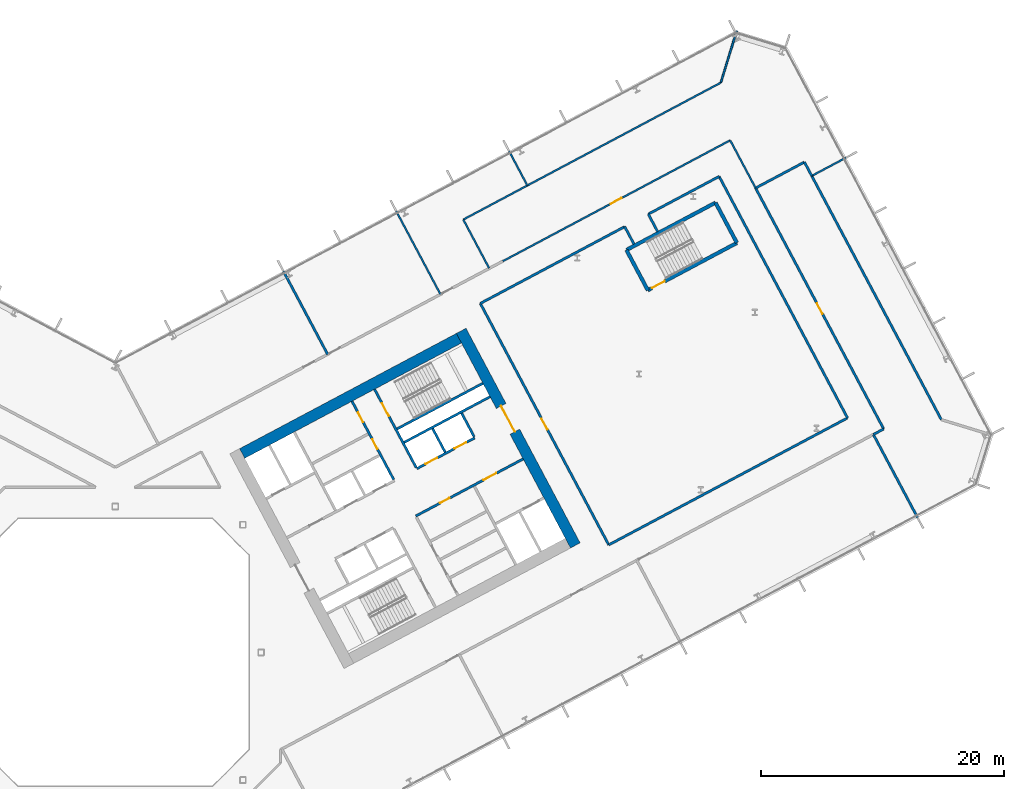
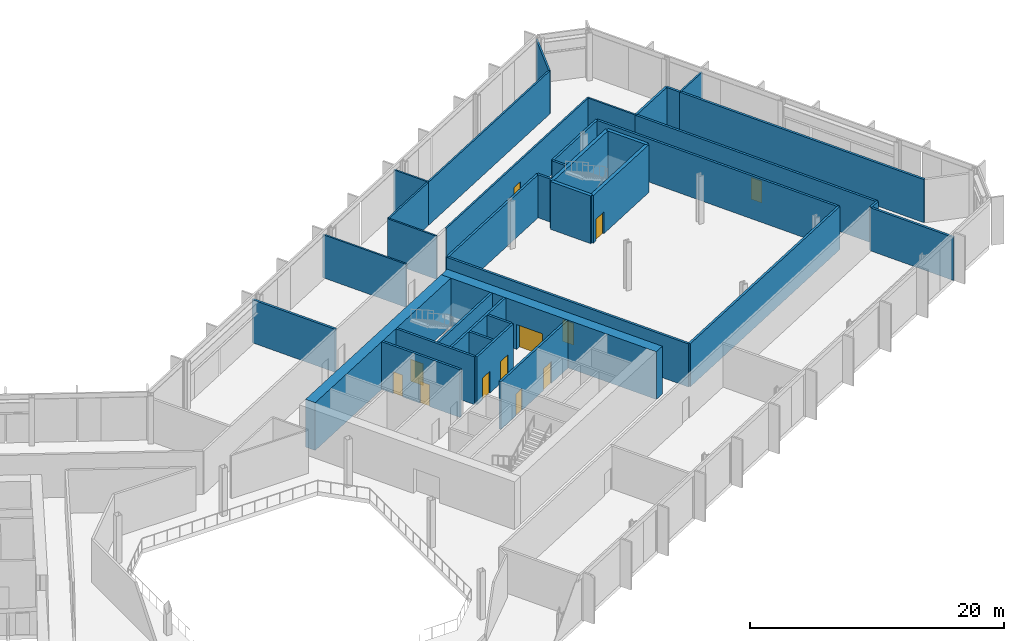
# One storey, part 18 of 31: 37 walls, 12 doors, 12 openings.
"""IFC4 building model written with IfcOpenShell, lengths in metres."""

from ifc_helpers import new_model, si_unit, direction, frame, frame_2d, origin, place, context, subcontext, project, spatial, rectangle, extrude, material, layer, layer_set, type_object, element, fill, save


model = new_model("IFC4")

# Units and contexts
model_context = context("Model", 3, precision=1e-05, world=origin(), true_north=direction((0.0, 1.0)))
body_context = subcontext(model_context, "Body", "Model", "MODEL_VIEW")
ifc_project = project(units=[si_unit("LENGTHUNIT", "METRE"), si_unit("AREAUNIT", "SQUARE_METRE"), si_unit("VOLUMEUNIT", "CUBIC_METRE"), si_unit("PLANEANGLEUNIT", "RADIAN"), si_unit("MASSUNIT", "GRAM", prefix="KILO")], contexts=[model_context])

# Site, building, storey
site_placement = place(None, origin())
site = spatial("IfcSite", under=ifc_project, at=site_placement, CompositionType="ELEMENT")
building_placement = place(site_placement, origin())
building = spatial("IfcBuilding", under=site, at=building_placement, Name="Cormorant Relay Tower", CompositionType="ELEMENT")
storey_placement = place(building_placement, frame((0.0, 0.0, 107.60009765625)))
storey = spatial("IfcBuildingStorey", under=building, at=storey_placement, Name="L21", CompositionType="ELEMENT", Elevation=107.60009765625)

# Wall
ifc_material_1 = material(Name="Concrete 40 MPa", Category="concrete")
ifc_layer_1 = layer(ifc_material_1, 0.199951171875)
ifc_layer_set_1 = layer_set([ifc_layer_1], Name="Core internal wall 200")
wall_type_1 = type_object("IfcWallType", Name="Core internal wall 200", PredefinedType="SOLIDWALL", material=ifc_layer_set_1)
wall_1_placement = place(storey_placement, frame((27.144287109375, 16.471435546875, 0.0), z_axis=(0.0, 0.0, 1.0), x_axis=(-0.469401318492, 0.882984938828, 0.0)))
element("IfcWall", 1, at=wall_1_placement, inside=storey, type_object=wall_type_1, Name="L21 core B shaft and room wall", PredefinedType="SOLIDWALL", context=body_context, shape_type="SweptSolid", body=[
    extrude(rectangle(XDim=2.199951171875, YDim=0.199951171875, at=frame_2d((1.10009765625, 0.0))), origin(), (0.0, 0.0, 1.0), 4.599853515625),
])

# Wall, openings, doors
ifc_material_2 = material(Name="Concrete 50 MPa", Category="concrete")
ifc_layer_2 = layer(ifc_material_2, 0.199951171875)
ifc_layer_set_2 = layer_set([ifc_layer_2], Name="Core shaft wall 200")
wall_type_2 = type_object("IfcWallType", Name="Core shaft wall 200", PredefinedType="SHEAR", material=ifc_layer_set_2)
wall_2_placement = place(storey_placement, frame((22.90625, 14.218017578125, 0.0), z_axis=(0.0, 0.0, 1.0), x_axis=(-0.469480409012, 0.88294288918, 0.0)))
wall_2 = element("IfcWall", 2, at=wall_2_placement, inside=storey, type_object=wall_type_2, Name="L21 core B shaft wall", PredefinedType="SHEAR", context=body_context, shape_type="SweptSolid", body=[
    extrude(rectangle(XDim=7.300048828125, YDim=0.199951171875, at=frame_2d((3.64990234375, 0.0))), origin(), (0.0, 0.0, 1.0), 4.599853515625),
])
opening_1_placement = place(wall_2_placement, frame((2.85009765625, 0.0, 0.0)))
opening_1 = element("IfcOpeningElement", 3, at=opening_1_placement, cuts=wall_2, Name="Opening CDD-134", PredefinedType="OPENING", context=body_context, shape_type="SweptSolid", body=[
    extrude(rectangle(XDim=0.89990234375, YDim=2.10009765625, at=frame_2d((0.449951171875, 1.050048828125))), frame((0.0, 0.10986328125, 0.0), z_axis=(0.0, -1.0, 0.0), x_axis=(1.0, 0.0, 0.0)), (0.0, 0.0, 1.0), 0.219970703125),
])
opening_2_placement = place(wall_2_placement, frame((5.35009765625, 0.0, 0.0)))
opening_2 = element("IfcOpeningElement", 4, at=opening_2_placement, cuts=wall_2, Name="Opening CDD-148", PredefinedType="OPENING", context=body_context, shape_type="SweptSolid", body=[
    extrude(rectangle(XDim=0.89990234375, YDim=2.10009765625, at=frame_2d((0.449951171875, 1.050048828125))), frame((0.0, 0.10986328125, 0.0), z_axis=(0.0, -1.0, 0.0), x_axis=(1.0, 0.0, 0.0)), (0.0, 0.0, 1.0), 0.219970703125),
])
ifc_material_3 = material(Name="Steel fire door", Category="steel")
door_type_1 = type_object("IfcDoorType", Name="Core room door 900x2100", OperationType="SINGLE_SWING_LEFT", PredefinedType="DOOR", material=ifc_material_3)
door_1_placement = place(opening_1_placement, origin())
door_1 = element("IfcDoor", 5, at=door_1_placement, inside=storey, type_object=door_type_1, Name="Core room door 900x2100", OperationType="SINGLE_SWING_RIGHT", OverallHeight=2.10009765625, OverallWidth=0.89990234375, PredefinedType="DOOR", context=body_context, shape_type="SweptSolid", body=[
    extrude(rectangle(XDim=0.89990234375, YDim=2.10009765625, at=frame_2d((0.449951171875, 1.050048828125))), frame((0.0, 0.02490234375, 0.0), z_axis=(0.0, -1.0, 0.0), x_axis=(1.0, 0.0, 0.0)), (0.0, 0.0, 1.0), 0.050048828125),
])
fill(opening_1, door_1)
door_2_placement = place(opening_2_placement, origin())
door_2 = element("IfcDoor", 6, at=door_2_placement, inside=storey, type_object=door_type_1, Name="Core room door 900x2100", OperationType="SINGLE_SWING_LEFT", OverallHeight=2.10009765625, OverallWidth=0.89990234375, PredefinedType="DOOR", context=body_context, shape_type="SweptSolid", body=[
    extrude(rectangle(XDim=0.89990234375, YDim=2.10009765625, at=frame_2d((0.449951171875, 1.050048828125))), frame((0.0, 0.02490234375, 0.0), z_axis=(0.0, -1.0, 0.0), x_axis=(1.0, 0.0, 0.0)), (0.0, 0.0, 1.0), 0.050048828125),
])
fill(opening_2, door_2)

# Wall, opening, door
wall_3_placement = place(storey_placement, frame((24.760498046875, 15.2041015625, 0.0), z_axis=(0.0, 0.0, 1.0), x_axis=(-0.469494272526, 0.882935517501, 0.0)))
wall_3 = element("IfcWall", 7, at=wall_3_placement, inside=storey, type_object=wall_type_2, Name="L21 core B shaft wall", PredefinedType="SHEAR", context=body_context, shape_type="SweptSolid", body=[
    extrude(rectangle(XDim=7.2998046875, YDim=0.199951171875, at=frame_2d((3.64990234375, 0.0))), origin(), (0.0, 0.0, 1.0), 4.599853515625),
])
opening_3_placement = place(wall_3_placement, frame((4.800048828125, 0.0, 0.0)))
opening_3 = element("IfcOpeningElement", 8, at=opening_3_placement, cuts=wall_3, Name="Opening CDB-027", PredefinedType="OPENING", context=body_context, shape_type="SweptSolid", body=[
    extrude(rectangle(XDim=1.199951171875, YDim=2.10009765625, at=frame_2d((0.60009765625, 1.050048828125))), frame((0.0, 0.10986328125, 0.0), z_axis=(0.0, -1.0, 0.0), x_axis=(1.0, 0.0, 0.0)), (0.0, 0.0, 1.0), 0.219970703125),
])
ifc_material_4 = material(Name="Steel fire door", Category="steel")
door_type_2 = type_object("IfcDoorType", Name="Core stair door 1200x2100", OperationType="SINGLE_SWING_LEFT", PredefinedType="DOOR", material=ifc_material_4)
door_3_placement = place(opening_3_placement, frame((1.199951171875, 0.0, 0.0), z_axis=(0.0, 0.0, 1.0), x_axis=(-1.0, 0.0, 0.0)))
door_3 = element("IfcDoor", 9, at=door_3_placement, inside=storey, type_object=door_type_2, Name="Core stair door 1200x2100", OperationType="SINGLE_SWING_RIGHT", OverallHeight=2.10009765625, OverallWidth=1.199951171875, PredefinedType="DOOR", context=body_context, shape_type="SweptSolid", body=[
    extrude(rectangle(XDim=1.199951171875, YDim=2.10009765625, at=frame_2d((0.60009765625, 1.050048828125))), frame((0.0, 0.02490234375, 0.0), z_axis=(0.0, -1.0, 0.0), x_axis=(1.0, 0.0, 0.0)), (0.0, 0.0, 1.0), 0.050048828125),
])
fill(opening_3, door_3)

# Wall
wall_4_placement = place(storey_placement, frame((29.5283203125, 17.739013671875, 0.0), z_axis=(0.0, 0.0, 1.0), x_axis=(-0.469401318492, 0.882984938828, 0.0)))
element("IfcWall", 10, at=wall_4_placement, inside=storey, type_object=wall_type_2, Name="L21 core B shaft wall", PredefinedType="SHEAR", context=body_context, shape_type="SweptSolid", body=[
    extrude(rectangle(XDim=2.199951171875, YDim=0.199951171875, at=frame_2d((1.10009765625, 0.0))), origin(), (0.0, 0.0, 1.0), 4.599853515625),
])

# Wall, openings, doors
wall_5_placement = place(storey_placement, frame((24.72607421875, 11.2216796875, 0.0), z_axis=(0.0, 0.0, 1.0), x_axis=(0.882940221191, 0.469485426614, 0.0)))
wall_5 = element("IfcWall", 11, at=wall_5_placement, inside=storey, type_object=wall_type_2, Name="L21 core B shaft wall", PredefinedType="SHEAR", context=body_context, shape_type="SweptSolid", body=[
    extrude(rectangle(XDim=10.0, YDim=0.199951171875, at=frame_2d((5.0, 0.0))), origin(), (0.0, 0.0, 1.0), 4.599853515625),
])
opening_4_placement = place(wall_5_placement, frame((6.300048828125, 0.0, 0.0)))
opening_4 = element("IfcOpeningElement", 12, at=opening_4_placement, cuts=wall_5, Name="Opening CDC-020", PredefinedType="OPENING", context=body_context, shape_type="SweptSolid", body=[
    extrude(rectangle(XDim=1.199951171875, YDim=2.10009765625, at=frame_2d((0.60009765625, 1.050048828125))), frame((0.0, 0.10986328125, 0.0), z_axis=(0.0, -1.0, 0.0), x_axis=(1.0, 0.0, 0.0)), (0.0, 0.0, 1.0), 0.219970703125),
])
opening_5_placement = place(wall_5_placement, frame((2.25, 0.0, 0.0)))
opening_5 = element("IfcOpeningElement", 13, at=opening_5_placement, cuts=wall_5, Name="Opening CDD-133", PredefinedType="OPENING", context=body_context, shape_type="SweptSolid", body=[
    extrude(rectangle(XDim=0.89990234375, YDim=2.10009765625, at=frame_2d((0.449951171875, 1.050048828125))), frame((0.0, 0.10986328125, 0.0), z_axis=(0.0, -1.0, 0.0), x_axis=(1.0, 0.0, 0.0)), (0.0, 0.0, 1.0), 0.219970703125),
])
ifc_material_5 = material(Name="Steel fire door", Category="steel")
door_type_3 = type_object("IfcDoorType", Name="Core lobby door 1200x2100", OperationType="SINGLE_SWING_LEFT", PredefinedType="DOOR", material=ifc_material_5)
door_4_placement = place(opening_4_placement, frame((1.199951171875, 0.0, 0.0), z_axis=(0.0, 0.0, 1.0), x_axis=(-1.0, 0.0, 0.0)))
door_4 = element("IfcDoor", 14, at=door_4_placement, inside=storey, type_object=door_type_3, Name="Core lobby door 1200x2100", OperationType="SINGLE_SWING_RIGHT", OverallHeight=2.10009765625, OverallWidth=1.199951171875, PredefinedType="DOOR", context=body_context, shape_type="SweptSolid", body=[
    extrude(rectangle(XDim=1.199951171875, YDim=2.10009765625, at=frame_2d((0.60009765625, 1.050048828125))), frame((0.0, 0.02490234375, 0.0), z_axis=(0.0, -1.0, 0.0), x_axis=(1.0, 0.0, 0.0)), (0.0, 0.0, 1.0), 0.050048828125),
])
fill(opening_4, door_4)
door_5_placement = place(opening_5_placement, frame((0.89990234375, 0.0, 0.0), z_axis=(0.0, 0.0, 1.0), x_axis=(-1.0, 0.0, 0.0)))
door_5 = element("IfcDoor", 15, at=door_5_placement, inside=storey, type_object=door_type_1, Name="Core room door 900x2100", OperationType="SINGLE_SWING_RIGHT", OverallHeight=2.10009765625, OverallWidth=0.89990234375, PredefinedType="DOOR", context=body_context, shape_type="SweptSolid", body=[
    extrude(rectangle(XDim=0.89990234375, YDim=2.10009765625, at=frame_2d((0.449951171875, 1.050048828125))), frame((0.0, 0.02490234375, 0.0), z_axis=(0.0, -1.0, 0.0), x_axis=(1.0, 0.0, 0.0)), (0.0, 0.0, 1.0), 0.050048828125),
])
fill(opening_5, door_5)

wall_6_placement = place(storey_placement, frame((24.807373046875, 15.11572265625, 0.0), z_axis=(0.0, 0.0, 1.0), x_axis=(0.882942972946, 0.469480251476, 0.0)))
wall_6 = element("IfcWall", 16, at=wall_6_placement, inside=storey, type_object=wall_type_2, Name="L21 core B shaft wall", PredefinedType="SHEAR", context=body_context, shape_type="SweptSolid", body=[
    extrude(rectangle(XDim=5.39990234375, YDim=0.199951171875, at=frame_2d((2.699951171875, 0.0))), origin(), (0.0, 0.0, 1.0), 4.599853515625),
])
opening_6_placement = place(wall_6_placement, frame((0.800048828125, 0.0, 0.0)))
opening_6 = element("IfcOpeningElement", 17, at=opening_6_placement, cuts=wall_6, Name="Opening LD1-030", PredefinedType="OPENING", context=body_context, shape_type="SweptSolid", body=[
    extrude(rectangle(XDim=1.10009765625, YDim=2.10009765625, at=frame_2d((0.550048828125, 1.050048828125))), frame((0.0, 0.10986328125, 0.0), z_axis=(0.0, -1.0, 0.0), x_axis=(1.0, 0.0, 0.0)), (0.0, 0.0, 1.0), 0.219970703125),
])
opening_7_placement = place(wall_6_placement, frame((3.5, 0.0, 0.0)))
opening_7 = element("IfcOpeningElement", 18, at=opening_7_placement, cuts=wall_6, Name="Opening LD1-031", PredefinedType="OPENING", context=body_context, shape_type="SweptSolid", body=[
    extrude(rectangle(XDim=1.10009765625, YDim=2.10009765625, at=frame_2d((0.550048828125, 1.050048828125))), frame((0.0, 0.10986328125, 0.0), z_axis=(0.0, -1.0, 0.0), x_axis=(1.0, 0.0, 0.0)), (0.0, 0.0, 1.0), 0.219970703125),
])
ifc_material_6 = material(Name="Stainless steel 316", Category="steel")
door_type_4 = type_object("IfcDoorType", Name="Lift landing door 1100x2100", OperationType="DOUBLE_DOOR_SLIDING", PredefinedType="DOOR", material=ifc_material_6)
door_6_placement = place(opening_6_placement, origin())
door_6 = element("IfcDoor", 19, at=door_6_placement, inside=storey, type_object=door_type_4, Name="LR3 landing door", OperationType="DOUBLE_DOOR_SLIDING", OverallHeight=2.10009765625, OverallWidth=1.10009765625, PredefinedType="DOOR", context=body_context, shape_type="SweptSolid", body=[
    extrude(rectangle(XDim=1.10009765625, YDim=2.10009765625, at=frame_2d((0.550048828125, 1.050048828125))), frame((0.0, 0.02490234375, 0.0), z_axis=(0.0, -1.0, 0.0), x_axis=(1.0, 0.0, 0.0)), (0.0, 0.0, 1.0), 0.050048828125),
])
fill(opening_6, door_6)
door_7_placement = place(opening_7_placement, origin())
door_7 = element("IfcDoor", 20, at=door_7_placement, inside=storey, type_object=door_type_4, Name="LR4 landing door", OperationType="DOUBLE_DOOR_SLIDING", OverallHeight=2.10009765625, OverallWidth=1.10009765625, PredefinedType="DOOR", context=body_context, shape_type="SweptSolid", body=[
    extrude(rectangle(XDim=1.10009765625, YDim=2.10009765625, at=frame_2d((0.550048828125, 1.050048828125))), frame((0.0, 0.02490234375, 0.0), z_axis=(0.0, -1.0, 0.0), x_axis=(1.0, 0.0, 0.0)), (0.0, 0.0, 1.0), 0.050048828125),
])
fill(opening_7, door_7)

# Walls
wall_7_placement = place(storey_placement, frame((23.76904296875, 17.28173828125, 0.0), z_axis=(0.0, 0.0, 1.0), x_axis=(0.882940221191, 0.469485426614, 0.0)))
element("IfcWall", 21, at=wall_7_placement, inside=storey, type_object=wall_type_2, Name="L21 core B shaft wall", PredefinedType="SHEAR", context=body_context, shape_type="SweptSolid", body=[
    extrude(rectangle(XDim=8.0, YDim=0.199951171875, at=frame_2d((4.0, 0.0))), origin(), (0.0, 0.0, 1.0), 4.599853515625),
])
wall_8_placement = place(storey_placement, frame((23.18212890625, 18.385498046875, 0.0), z_axis=(0.0, 0.0, 1.0), x_axis=(0.88295287151, 0.469461634952, 0.0)))
element("IfcWall", 22, at=wall_8_placement, inside=storey, type_object=wall_type_2, Name="L21 core B shaft wall", PredefinedType="SHEAR", context=body_context, shape_type="SweptSolid", body=[
    extrude(rectangle(XDim=7.999755859375, YDim=0.199951171875, at=frame_2d((4.0, 0.0))), origin(), (0.0, 0.0, 1.0), 4.599853515625),
])

# Wall, opening, door
ifc_material_7 = material(Name="Concrete 70 MPa", Category="concrete")
ifc_layer_3 = layer(ifc_material_7, 0.89990234375)
ifc_layer_set_3 = layer_set([ifc_layer_3], Name="Core wall 900")
wall_type_3 = type_object("IfcWallType", Name="Core wall 900", PredefinedType="SHEAR", material=ifc_layer_set_3)
wall_9_placement = place(storey_placement, frame((37.849365234375, 8.799072265625, 0.0), z_axis=(0.0, 0.0, 1.0), x_axis=(-0.469465789982, 0.882950662289, 0.0)))
wall_9 = element("IfcWall", 23, at=wall_9_placement, inside=storey, type_object=wall_type_3, Name="L21 core B wall", PredefinedType="SHEAR", context=body_context, shape_type="SweptSolid", body=[
    extrude(rectangle(XDim=20.000244140625, YDim=0.89990234375, at=frame_2d((10.0, 0.0))), origin(), (0.0, 0.0, 1.0), 4.599853515625),
])
opening_8_placement = place(wall_9_placement, frame((10.60009765625, 0.0, 0.0)))
opening_8 = element("IfcOpeningElement", 24, at=opening_8_placement, cuts=wall_9, Name="Opening CDA-020", PredefinedType="OPENING", context=body_context, shape_type="SweptSolid", body=[
    extrude(rectangle(XDim=2.39990234375, YDim=2.39990234375, at=frame_2d((1.199951171875, 1.199951171875))), frame((0.0, 0.4599609375, 0.0), z_axis=(0.0, -1.0, 0.0), x_axis=(1.0, 0.0, 0.0)), (0.0, 0.0, 1.0), 0.919921875),
])
ifc_material_8 = material(Name="Steel fire door", Category="steel")
door_type_5 = type_object("IfcDoorType", Name="Core lobby door 2400x2400", OperationType="DOUBLE_DOOR_SINGLE_SWING", PredefinedType="DOOR", material=ifc_material_8)
door_8_placement = place(opening_8_placement, origin())
door_8 = element("IfcDoor", 25, at=door_8_placement, inside=storey, type_object=door_type_5, Name="Core lobby door 2400x2400", OperationType="DOUBLE_DOOR_SINGLE_SWING", OverallHeight=2.39990234375, OverallWidth=2.39990234375, PredefinedType="DOOR", context=body_context, shape_type="SweptSolid", body=[
    extrude(rectangle(XDim=2.39990234375, YDim=2.39990234375, at=frame_2d((1.199951171875, 1.199951171875))), frame((0.0, 0.02490234375, 0.0), z_axis=(0.0, -1.0, 0.0), x_axis=(1.0, 0.0, 0.0)), (0.0, 0.0, 1.0), 0.050048828125),
])
fill(opening_8, door_8)

# Walls
wall_10_placement = place(storey_placement, frame((10.4384765625, 16.3662109375, 0.0), z_axis=(0.0, 0.0, 1.0), x_axis=(0.88294509198, 0.469476266226, 0.0)))
element("IfcWall", 26, at=wall_10_placement, inside=storey, type_object=wall_type_3, Name="L21 core B wall", PredefinedType="SHEAR", context=body_context, shape_type="SweptSolid", body=[
    extrude(rectangle(XDim=20.199951171875, YDim=0.89990234375, at=frame_2d((10.10009765625, 0.0))), origin(), (0.0, 0.0, 1.0), 4.599853515625),
])
ifc_material_9 = material(Name="Fire-rated gypsum board partition")
ifc_layer_4 = layer(ifc_material_9, 0.199951171875)
ifc_layer_set_4 = layer_set([ifc_layer_4], Name="Fire-rated gypsum partition 200")
wall_type_4 = type_object("IfcWallType", Name="Fire-rated gypsum partition 200", PredefinedType="PARTITIONING", material=ifc_layer_set_4)
wall_11_placement = place(storey_placement, frame((13.833984375, 31.365966796875, 0.0), z_axis=(0.0, 0.0, 1.0), x_axis=(0.469415477281, -0.882977411766, 0.0)))
element("IfcWall", 27, at=wall_11_placement, inside=storey, type_object=wall_type_4, Name="wall/L21/part/42", PredefinedType="PARTITIONING", context=body_context, shape_type="SweptSolid", body=[
    extrude(rectangle(XDim=7.75, YDim=0.199951171875, at=frame_2d((3.875, 0.0))), origin(), (0.0, 0.0, 1.0), 4.14990234375),
])
wall_12_placement = place(storey_placement, frame((44.619873046875, 34.622802734375, 0.0), z_axis=(0.0, 0.0, 1.0), x_axis=(-0.46980196406, 0.882771836074, 0.0)))
element("IfcWall", 28, at=wall_12_placement, inside=storey, type_object=wall_type_4, Name="wall/L21/part/60", PredefinedType="PARTITIONING", context=body_context, shape_type="SweptSolid", body=[
    extrude(rectangle(XDim=1.628173828125, YDim=0.199951171875, at=frame_2d((0.81396484375, 0.0))), origin(), (0.0, 0.0, 1.0), 4.14990234375),
])
wall_13_placement = place(storey_placement, frame((43.85498046875, 36.06005859375, 0.0), z_axis=(0.0, 0.0, 1.0), x_axis=(0.882967665993, 0.469433808765, 0.0)))
element("IfcWall", 29, at=wall_13_placement, inside=storey, type_object=wall_type_4, Name="wall/L21/part/61", PredefinedType="PARTITIONING", context=body_context, shape_type="SweptSolid", body=[
    extrude(rectangle(XDim=6.59912109375, YDim=0.199951171875, at=frame_2d((3.299560546875, 0.0))), origin(), (0.0, 0.0, 1.0), 4.14990234375),
])
wall_14_placement = place(storey_placement, frame((49.681884765625, 39.157958984375, 0.0), z_axis=(0.0, 0.0, 1.0), x_axis=(0.469464330369, -0.882951438365, 0.0)))
element("IfcWall", 30, at=wall_14_placement, inside=storey, type_object=wall_type_4, Name="wall/L21/part/62", PredefinedType="PARTITIONING", context=body_context, shape_type="SweptSolid", body=[
    extrude(rectangle(XDim=22.50048828125, YDim=0.199951171875, at=frame_2d((11.250244140625, 0.0))), origin(), (0.0, 0.0, 1.0), 4.14990234375),
])
wall_15_placement = place(storey_placement, frame((60.2451171875, 19.291015625, 0.0), z_axis=(0.0, 0.0, 1.0), x_axis=(-0.882964229992, -0.469440271552, 0.0)))
element("IfcWall", 31, at=wall_15_placement, inside=storey, type_object=wall_type_4, Name="wall/L21/part/63", PredefinedType="PARTITIONING", context=body_context, shape_type="SweptSolid", body=[
    extrude(rectangle(XDim=22.25, YDim=0.199951171875, at=frame_2d((11.125, 0.0))), origin(), (0.0, 0.0, 1.0), 4.14990234375),
])

# Wall, opening, door
wall_16_placement = place(storey_placement, frame((40.59912109375, 8.845947265625, 0.0), z_axis=(0.0, 0.0, 1.0), x_axis=(-0.469482321543, 0.882941872242, 0.0)))
wall_16 = element("IfcWall", 32, at=wall_16_placement, inside=storey, type_object=wall_type_4, Name="wall/L21/part/64", PredefinedType="PARTITIONING", context=body_context, shape_type="SweptSolid", body=[
    extrude(rectangle(XDim=22.499755859375, YDim=0.199951171875, at=frame_2d((11.25, 0.0))), origin(), (0.0, 0.0, 1.0), 4.14990234375),
])
opening_9_placement = place(wall_16_placement, frame((10.75, 0.0, 0.0)))
opening_9 = element("IfcOpeningElement", 33, at=opening_9_placement, cuts=wall_16, Name="Opening FD1-123", PredefinedType="OPENING", context=body_context, shape_type="SweptSolid", body=[
    extrude(rectangle(XDim=1.0, YDim=2.10009765625, at=frame_2d((0.5, 1.050048828125))), frame((0.0, 0.10986328125, 0.0), z_axis=(0.0, -1.0, 0.0), x_axis=(1.0, 0.0, 0.0)), (0.0, 0.0, 1.0), 0.219970703125),
])
ifc_material_10 = material(Name="Fire-rated steel door", Category="steel")
door_type_6 = type_object("IfcDoorType", Name="Fire door 1000 x 2100", OperationType="SINGLE_SWING_LEFT", PredefinedType="DOOR", material=ifc_material_10)
door_9_placement = place(opening_9_placement, origin())
door_9 = element("IfcDoor", 34, at=door_9_placement, inside=storey, type_object=door_type_6, Name="door/L21/23", OperationType="SINGLE_SWING_RIGHT", OverallHeight=2.10009765625, OverallWidth=1.0, PredefinedType="DOOR", context=body_context, shape_type="SweptSolid", body=[
    extrude(rectangle(XDim=1.0, YDim=2.10009765625, at=frame_2d((0.5, 1.050048828125))), frame((0.0, 0.02490234375, 0.0), z_axis=(0.0, -1.0, 0.0), x_axis=(1.0, 0.0, 0.0)), (0.0, 0.0, 1.0), 0.050048828125),
])
fill(opening_9, door_9)

# Walls
wall_17_placement = place(storey_placement, frame((30.035888671875, 28.7119140625, 0.0), z_axis=(0.0, 0.0, 1.0), x_axis=(0.882948586986, 0.469469693099, 0.0)))
element("IfcWall", 35, at=wall_17_placement, inside=storey, type_object=wall_type_4, Name="wall/L21/part/65", PredefinedType="PARTITIONING", context=body_context, shape_type="SweptSolid", body=[
    extrude(rectangle(XDim=13.45166015625, YDim=0.199951171875, at=frame_2d((6.725830078125, 0.0))), origin(), (0.0, 0.0, 1.0), 4.14990234375),
])
wall_18_placement = place(storey_placement, frame((41.9130859375, 35.027099609375, 0.0), z_axis=(0.0, 0.0, 1.0), x_axis=(0.469334342094, -0.883020540719, 0.0)))
element("IfcWall", 36, at=wall_18_placement, inside=storey, type_object=wall_type_4, Name="wall/L21/part/66", PredefinedType="PARTITIONING", context=body_context, shape_type="SweptSolid", body=[
    extrude(rectangle(XDim=1.627685546875, YDim=0.199951171875, at=frame_2d((0.81396484375, 0.0))), origin(), (0.0, 0.0, 1.0), 4.14990234375),
])
wall_19_placement = place(storey_placement, frame((62.37109375, 17.929931640625, 0.0), z_axis=(0.0, 0.0, 1.0), x_axis=(0.469415477281, -0.882977411766, 0.0)))
element("IfcWall", 37, at=wall_19_placement, inside=storey, type_object=wall_type_4, Name="wall/L21/part/67", PredefinedType="PARTITIONING", context=body_context, shape_type="SweptSolid", body=[
    extrude(rectangle(XDim=7.75, YDim=0.199951171875, at=frame_2d((3.875, 0.0))), origin(), (0.0, 0.0, 1.0), 4.14990234375),
])

# Wall, opening, door
wall_20_placement = place(storey_placement, frame((52.677978515625, 38.2099609375, 0.0), z_axis=(0.0, 0.0, 1.0), x_axis=(0.469466013918, -0.882950543222, 0.0)))
wall_20 = element("IfcWall", 38, at=wall_20_placement, inside=storey, type_object=wall_type_4, Name="wall/L21/part/68", PredefinedType="PARTITIONING", context=body_context, shape_type="SweptSolid", body=[
    extrude(rectangle(XDim=22.455322265625, YDim=0.199951171875, at=frame_2d((11.2275390625, 0.0))), origin(), (0.0, 0.0, 1.0), 4.14990234375),
])
opening_10_placement = place(wall_20_placement, frame((10.75, 0.0, 0.0)))
opening_10 = element("IfcOpeningElement", 39, at=opening_10_placement, cuts=wall_20, Name="Opening FD1-127", PredefinedType="OPENING", context=body_context, shape_type="SweptSolid", body=[
    extrude(rectangle(XDim=1.0, YDim=2.10009765625, at=frame_2d((0.5, 1.050048828125))), frame((0.0, 0.10986328125, 0.0), z_axis=(0.0, -1.0, 0.0), x_axis=(1.0, 0.0, 0.0)), (0.0, 0.0, 1.0), 0.219970703125),
])
door_10_placement = place(opening_10_placement, origin())
door_10 = element("IfcDoor", 40, at=door_10_placement, inside=storey, type_object=door_type_6, Name="door/L21/7", OperationType="SINGLE_SWING_LEFT", OverallHeight=2.10009765625, OverallWidth=1.0, PredefinedType="DOOR", context=body_context, shape_type="SweptSolid", body=[
    extrude(rectangle(XDim=1.0, YDim=2.10009765625, at=frame_2d((0.5, 1.050048828125))), frame((0.0, 0.02490234375, 0.0), z_axis=(0.0, -1.0, 0.0), x_axis=(1.0, 0.0, 0.0)), (0.0, 0.0, 1.0), 0.050048828125),
])
fill(opening_10, door_10)

# Walls
wall_21_placement = place(storey_placement, frame((52.680908203125, 38.2041015625, 0.0), z_axis=(0.0, 0.0, 1.0), x_axis=(0.882941964913, 0.46948214726, 0.0)))
element("IfcWall", 41, at=wall_21_placement, inside=storey, type_object=wall_type_4, Name="wall/L21/part/69", PredefinedType="PARTITIONING", context=body_context, shape_type="SweptSolid", body=[
    extrude(rectangle(XDim=4.549560546875, YDim=0.199951171875, at=frame_2d((2.27490234375, 0.0))), origin(), (0.0, 0.0, 1.0), 4.14990234375),
])
wall_22_placement = place(storey_placement, frame((56.697998046875, 40.340087890625, 0.0), z_axis=(0.0, 0.0, 1.0), x_axis=(0.469224785277, -0.883078762559, 0.0)))
element("IfcWall", 42, at=wall_22_placement, inside=storey, type_object=wall_type_4, Name="wall/L21/part/70", PredefinedType="PARTITIONING", context=body_context, shape_type="SweptSolid", body=[
    extrude(rectangle(XDim=1.282958984375, YDim=0.199951171875, at=frame_2d((0.6416015625, 0.0))), origin(), (0.0, 0.0, 1.0), 4.14990234375),
])
wall_23_placement = place(storey_placement, frame((57.300048828125, 39.20703125, 0.0), z_axis=(0.0, 0.0, 1.0), x_axis=(0.469454330498, -0.882956755213, 0.0)))
element("IfcWall", 43, at=wall_23_placement, inside=storey, type_object=wall_type_4, Name="wall/L21/part/71", PredefinedType="PARTITIONING", context=body_context, shape_type="SweptSolid", body=[
    extrude(rectangle(XDim=22.7158203125, YDim=0.199951171875, at=frame_2d((11.35791015625, 0.0))), origin(), (0.0, 0.0, 1.0), 4.14990234375),
])
wall_24_placement = place(storey_placement, frame((62.3720703125, 17.929931640625, 0.0), z_axis=(0.0, 0.0, 1.0), x_axis=(0.881958970198, 0.471326187356, 0.0)))
element("IfcWall", 44, at=wall_24_placement, inside=storey, type_object=wall_type_4, Name="wall/L21/part/74", PredefinedType="PARTITIONING", context=body_context, shape_type="SweptSolid", body=[
    extrude(rectangle(XDim=0.96142578125, YDim=0.199951171875, at=frame_2d((0.480712890625, 0.0))), origin(), (0.0, 0.0, 1.0), 4.14990234375),
])
ifc_material_11 = material(Name="Gypsum board partition")
ifc_layer_5 = layer(ifc_material_11, 0.14990234375)
ifc_layer_set_5 = layer_set([ifc_layer_5], Name="Gypsum board partition 150")
wall_type_5 = type_object("IfcWallType", Name="Gypsum board partition 150", PredefinedType="PARTITIONING", material=ifc_layer_set_5)
wall_25_placement = place(storey_placement, frame((23.116943359375, 36.302001953125, 0.0), z_axis=(0.0, 0.0, 1.0), x_axis=(0.469538267285, -0.882912122215, 0.0)))
element("IfcWall", 45, at=wall_25_placement, inside=storey, type_object=wall_type_5, Name="wall/L21/part/50", PredefinedType="PARTITIONING", context=body_context, shape_type="SweptSolid", body=[
    extrude(rectangle(XDim=7.75048828125, YDim=0.14990234375, at=frame_2d((3.875244140625, 0.0))), origin(), (0.0, 0.0, 1.0), 4.14990234375),
])
wall_26_placement = place(storey_placement, frame((30.760986328125, 31.60791015625, 0.0), z_axis=(0.0, 0.0, 1.0), x_axis=(-0.469369141446, 0.883002043632, 0.0)))
element("IfcWall", 46, at=wall_26_placement, inside=storey, type_object=wall_type_5, Name="wall/L21/part/52", PredefinedType="PARTITIONING", context=body_context, shape_type="SweptSolid", body=[
    extrude(rectangle(XDim=4.53369140625, YDim=0.14990234375, at=frame_2d((2.266845703125, 0.0))), origin(), (0.0, 0.0, 1.0), 4.14990234375),
])
wall_27_placement = place(storey_placement, frame((28.633056640625, 35.611083984375, 0.0), z_axis=(0.0, 0.0, 1.0), x_axis=(0.882899375274, 0.469562235642, 0.0)))
element("IfcWall", 47, at=wall_27_placement, inside=storey, type_object=wall_type_5, Name="wall/L21/part/53", PredefinedType="PARTITIONING", context=body_context, shape_type="SweptSolid", body=[
    extrude(rectangle(XDim=5.9052734375, YDim=0.14990234375, at=frame_2d((2.95263671875, 0.0))), origin(), (0.0, 0.0, 1.0), 4.14990234375),
])
wall_28_placement = place(storey_placement, frame((52.677978515625, 38.2099609375, 0.0), z_axis=(0.0, 0.0, 1.0), x_axis=(-0.469641219027, 0.882857364126, 0.0)))
element("IfcWall", 48, at=wall_28_placement, inside=storey, type_object=wall_type_5, Name="wall/L21/part/55", PredefinedType="PARTITIONING", context=body_context, shape_type="SweptSolid", body=[
    extrude(rectangle(XDim=4.443603515625, YDim=0.14990234375, at=frame_2d((2.2216796875, 0.0))), origin(), (0.0, 0.0, 1.0), 4.14990234375),
])

# Wall, opening, door
wall_29_placement = place(storey_placement, frame((31.887939453125, 32.18798828125, 0.0), z_axis=(0.0, 0.0, 1.0), x_axis=(0.882949135821, 0.469468660884, 0.0)))
wall_29 = element("IfcWall", 49, at=wall_29_placement, inside=storey, type_object=wall_type_5, Name="wall/L21/part/56", PredefinedType="PARTITIONING", context=body_context, shape_type="SweptSolid", body=[
    extrude(rectangle(XDim=21.18359375, YDim=0.14990234375, at=frame_2d((10.591796875, 0.0))), origin(), (0.0, 0.0, 1.0), 4.14990234375),
])
opening_11_placement = place(wall_29_placement, frame((10.050048828125, 0.0, 0.0)))
opening_11 = element("IfcOpeningElement", 50, at=opening_11_placement, cuts=wall_29, Name="Opening D1-055", PredefinedType="OPENING", context=body_context, shape_type="SweptSolid", body=[
    extrude(rectangle(XDim=1.0, YDim=2.10009765625, at=frame_2d((0.5, 1.050048828125))), frame((0.0, 0.0849609375, 0.0), z_axis=(0.0, -1.0, 0.0), x_axis=(1.0, 0.0, 0.0)), (0.0, 0.0, 1.0), 0.169921875),
])
ifc_material_12 = material(Name="Painted steel door", Category="steel")
door_type_7 = type_object("IfcDoorType", Name="Single door 1000 x 2100", OperationType="SINGLE_SWING_LEFT", PredefinedType="DOOR", material=ifc_material_12)
door_11_placement = place(opening_11_placement, origin())
door_11 = element("IfcDoor", 51, at=door_11_placement, inside=storey, type_object=door_type_7, Name="door/L21/8", OperationType="SINGLE_SWING_LEFT", OverallHeight=2.10009765625, OverallWidth=1.0, PredefinedType="DOOR", context=body_context, shape_type="SweptSolid", body=[
    extrude(rectangle(XDim=1.0, YDim=2.10009765625, at=frame_2d((0.5, 1.050048828125))), frame((0.0, 0.02490234375, 0.0), z_axis=(0.0, -1.0, 0.0), x_axis=(1.0, 0.0, 0.0)), (0.0, 0.0, 1.0), 0.050048828125),
])
fill(opening_11, door_11)

# Walls
wall_30_placement = place(storey_placement, frame((32.402099609375, 41.239013671875, 0.0), z_axis=(0.0, 0.0, 1.0), x_axis=(0.469447181805, -0.882960556025, 0.0)))
element("IfcWall", 52, at=wall_30_placement, inside=storey, type_object=wall_type_5, Name="wall/L21/part/57", PredefinedType="PARTITIONING", context=body_context, shape_type="SweptSolid", body=[
    extrude(rectangle(XDim=3.199462890625, YDim=0.14990234375, at=frame_2d((1.599609375, 0.0))), origin(), (0.0, 0.0, 1.0), 4.14990234375),
])
wall_31_placement = place(storey_placement, frame((33.846923828125, 38.384033203125, 0.0), z_axis=(0.0, 0.0, 1.0), x_axis=(0.882976275084, 0.469417615391, 0.0)))
element("IfcWall", 53, at=wall_31_placement, inside=storey, type_object=wall_type_5, Name="wall/L21/part/58", PredefinedType="PARTITIONING", context=body_context, shape_type="SweptSolid", body=[
    extrude(rectangle(XDim=18.094482421875, YDim=0.14990234375, at=frame_2d((9.04736328125, 0.0))), origin(), (0.0, 0.0, 1.0), 4.14990234375),
])
wall_32_placement = place(storey_placement, frame((49.823974609375, 46.8779296875, 0.0), z_axis=(0.0, 0.0, 1.0), x_axis=(0.29242717897, 0.956287794024, 0.0)))
element("IfcWall", 54, at=wall_32_placement, inside=storey, type_object=wall_type_5, Name="wall/L21/part/59", PredefinedType="PARTITIONING", context=body_context, shape_type="SweptSolid", body=[
    extrude(rectangle(XDim=4.458984375, YDim=0.14990234375, at=frame_2d((2.2294921875, 0.0))), origin(), (0.0, 0.0, 1.0), 4.14990234375),
])
wall_33_placement = place(storey_placement, frame((60.126953125, 40.70703125, 0.0), z_axis=(0.0, 0.0, 1.0), x_axis=(-0.883027796121, -0.469320691295, 0.0)))
element("IfcWall", 55, at=wall_33_placement, inside=storey, type_object=wall_type_5, Name="wall/L21/part/73", PredefinedType="PARTITIONING", context=body_context, shape_type="SweptSolid", body=[
    extrude(rectangle(XDim=3.2001953125, YDim=0.14990234375, at=frame_2d((1.60009765625, 0.0))), origin(), (0.0, 0.0, 1.0), 4.14990234375),
])
ifc_material_13 = material(Name="Concrete 50 MPa", Category="concrete")
ifc_layer_6 = layer(ifc_material_13, 0.300048828125)
ifc_layer_set_6 = layer_set([ifc_layer_6], Name="Remote stair wall 300")
wall_type_6 = type_object("IfcWallType", Name="Remote stair wall 300", PredefinedType="SHEAR", material=ifc_layer_set_6)
wall_34_placement = place(storey_placement, frame((49.384033203125, 37.00390625, 0.0), z_axis=(0.0, 0.0, 1.0), x_axis=(0.46946936446, -0.882948761726, 0.0)))
element("IfcWall", 56, at=wall_34_placement, inside=storey, type_object=wall_type_6, Name="L21 exit stair RB1 wall", PredefinedType="SHEAR", context=body_context, shape_type="SweptSolid", body=[
    extrude(rectangle(XDim=3.75, YDim=0.300048828125, at=frame_2d((1.875, 0.0))), origin(), (0.0, 0.0, 1.0), 4.599853515625),
])

# Wall, opening, door
wall_35_placement = place(storey_placement, frame((51.14453125, 33.69287109375, 0.0), z_axis=(0.0, 0.0, 1.0), x_axis=(-0.882945809314, -0.469474917132, 0.0)))
wall_35 = element("IfcWall", 57, at=wall_35_placement, inside=storey, type_object=wall_type_6, Name="L21 exit stair RB1 wall", PredefinedType="SHEAR", context=body_context, shape_type="SweptSolid", body=[
    extrude(rectangle(XDim=8.30029296875, YDim=0.300048828125, at=frame_2d((4.150146484375, 0.0))), origin(), (0.0, 0.0, 1.0), 4.599853515625),
])
opening_12_placement = place(wall_35_placement, frame((6.72509765625, 0.0, 0.0)))
opening_12 = element("IfcOpeningElement", 58, at=opening_12_placement, cuts=wall_35, Name="Opening CDB-028", PredefinedType="OPENING", context=body_context, shape_type="SweptSolid", body=[
    extrude(rectangle(XDim=1.199951171875, YDim=2.10009765625, at=frame_2d((0.60009765625, 1.050048828125))), frame((0.0, 0.159912109375, 0.0), z_axis=(0.0, -1.0, 0.0), x_axis=(1.0, 0.0, 0.0)), (0.0, 0.0, 1.0), 0.320068359375),
])
door_12_placement = place(opening_12_placement, frame((1.199951171875, 0.0, 0.0), z_axis=(0.0, 0.0, 1.0), x_axis=(-1.0, 0.0, 0.0)))
door_12 = element("IfcDoor", 59, at=door_12_placement, inside=storey, type_object=door_type_2, Name="Exit stair RB1 door", OperationType="SINGLE_SWING_LEFT", OverallHeight=2.10009765625, OverallWidth=1.199951171875, PredefinedType="DOOR", context=body_context, shape_type="SweptSolid", body=[
    extrude(rectangle(XDim=1.199951171875, YDim=2.10009765625, at=frame_2d((0.60009765625, 1.050048828125))), frame((0.0, 0.02490234375, 0.0), z_axis=(0.0, -1.0, 0.0), x_axis=(1.0, 0.0, 0.0)), (0.0, 0.0, 1.0), 0.050048828125),
])
fill(opening_12, door_12)

# Walls
wall_36_placement = place(storey_placement, frame((43.81591796875, 29.796142578125, 0.0), z_axis=(0.0, 0.0, 1.0), x_axis=(-0.46946936446, 0.882948761726, 0.0)))
element("IfcWall", 60, at=wall_36_placement, inside=storey, type_object=wall_type_6, Name="L21 exit stair RB1 wall", PredefinedType="SHEAR", context=body_context, shape_type="SweptSolid", body=[
    extrude(rectangle(XDim=3.75, YDim=0.300048828125, at=frame_2d((1.875, 0.0))), origin(), (0.0, 0.0, 1.0), 4.599853515625),
])
wall_37_placement = place(storey_placement, frame((42.055419921875, 33.107177734375, 0.0), z_axis=(0.0, 0.0, 1.0), x_axis=(0.882945809314, 0.469474917132, 0.0)))
element("IfcWall", 61, at=wall_37_placement, inside=storey, type_object=wall_type_6, Name="L21 exit stair RB1 wall", PredefinedType="SHEAR", context=body_context, shape_type="SweptSolid", body=[
    extrude(rectangle(XDim=8.30029296875, YDim=0.300048828125, at=frame_2d((4.150146484375, 0.0))), origin(), (0.0, 0.0, 1.0), 4.599853515625),
])

save(model, "model.ifc")
